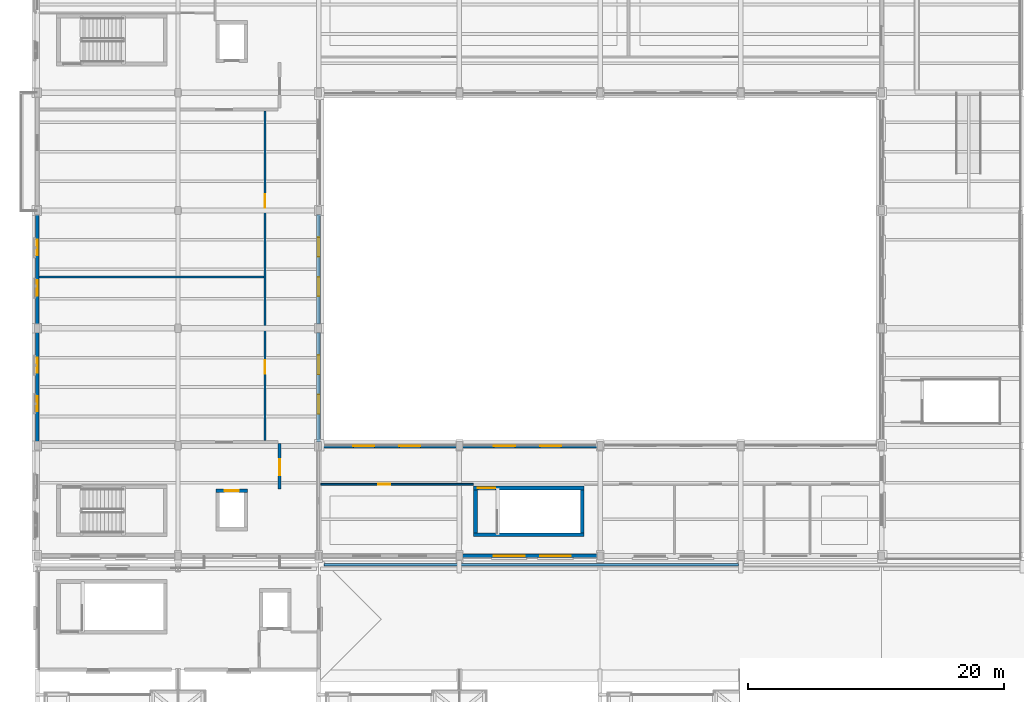
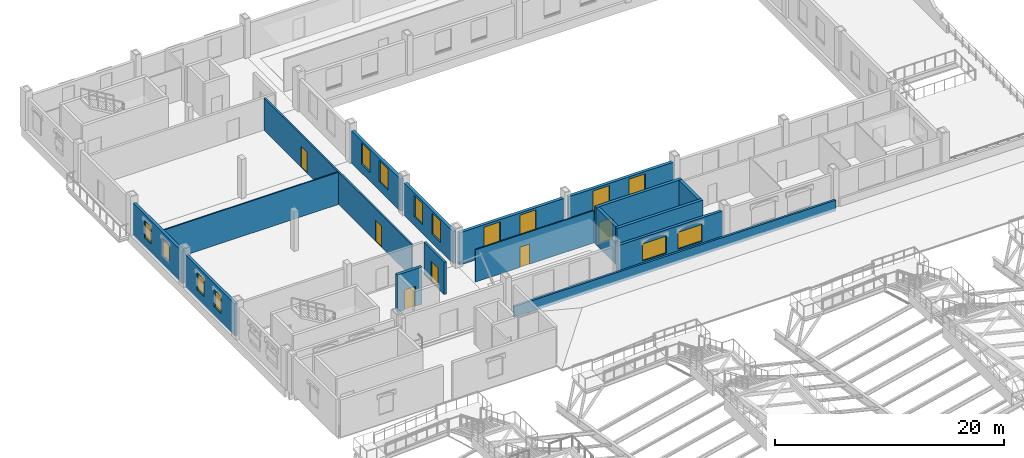
# One storey, part 23 of 43: 17 walls, 14 windows, 6 doors, 20 openings.
"""IFC4 building model written with IfcOpenShell, lengths in metres."""

from ifc_helpers import new_model, si_unit, direction, frame, frame_2d, origin, place, context, subcontext, project, spatial, rectangle, extrude, material, layer, layer_set, type_object, element, fill, save


model = new_model("IFC4")

# Units and contexts
model_context = context("Model", 3, precision=1e-05, world=origin(), true_north=direction((0.0, 1.0)))
body_context = subcontext(model_context, "Body", "Model", "MODEL_VIEW")
ifc_project = project(units=[si_unit("LENGTHUNIT", "METRE"), si_unit("AREAUNIT", "SQUARE_METRE"), si_unit("VOLUMEUNIT", "CUBIC_METRE"), si_unit("PLANEANGLEUNIT", "RADIAN"), si_unit("MASSUNIT", "GRAM", prefix="KILO")], contexts=[model_context])

# Site, building, storey
site_placement = place(None, origin())
site = spatial("IfcSite", under=ifc_project, at=site_placement, CompositionType="ELEMENT")
building_placement = place(site_placement, origin())
building = spatial("IfcBuilding", under=site, at=building_placement, Name="Caurita Quay Ferry Terminal", CompositionType="ELEMENT")
storey_placement = place(building_placement, frame((0.0, 0.0, 14.10009765625)))
storey = spatial("IfcBuildingStorey", under=building, at=storey_placement, Name="L03", CompositionType="ELEMENT", Elevation=14.10009765625)

# Wall, opening, door
ifc_material_1 = material(Name="Warm-white lime stucco masonry", Category="masonry")
ifc_layer_1 = layer(ifc_material_1, 0.239990234375, Name="Interior partitioning wall 240 mm")
ifc_layer_set_1 = layer_set([ifc_layer_1], Name="Warm-white lime stucco masonry")
wall_type_1 = type_object("IfcWallType", Name="WL-COMP-240", PredefinedType="PARTITIONING", material=ifc_layer_set_1)
wall_1_placement = place(storey_placement, frame((18.949951171875, 76.85009765625, 0.0), z_axis=(0.0, 0.0, 1.0), x_axis=(0.0, 1.0, 0.0)))
wall_1 = element("IfcWall", 1, at=wall_1_placement, inside=storey, type_object=wall_type_1, Name="L03 Interior Partition IW-L03-105", PredefinedType="PARTITIONING", context=body_context, shape_type="SweptSolid", body=[
    extrude(rectangle(XDim=3.52490234375, YDim=0.239990234375, at=frame_2d((1.762451171875, 0.0))), origin(), (0.0, 0.0, 1.0), 3.4365234375),
])
opening_1_placement = place(wall_1_placement, frame((1.050048828125, 0.0, 0.0)))
opening_1 = element("IfcOpeningElement", 2, at=opening_1_placement, cuts=wall_1, Name="Opening FD-01", PredefinedType="OPENING", context=body_context, shape_type="SweptSolid", body=[
    extrude(rectangle(XDim=1.25, YDim=2.199951171875, at=frame_2d((0.625, 1.10009765625))), frame((0.0, 0.1298828125, 0.0), z_axis=(0.0, -1.0, 0.0), x_axis=(1.0, 0.0, 0.0)), (0.0, 0.0, 1.0), 0.260009765625),
])
ifc_material_2 = material(Name="Anodized aluminium 6063-T6", Category="aluminium")
door_type_1 = type_object("IfcDoorType", Name="DR-FF-1100", OperationType="NOTDEFINED", PredefinedType="DOOR", material=ifc_material_2)
door_1_placement = place(opening_1_placement, frame((1.25, 0.0, 0.0), z_axis=(0.0, 0.0, 1.0), x_axis=(-1.0, 0.0, 0.0)))
door_1 = element("IfcDoor", 3, at=door_1_placement, inside=storey, type_object=door_type_1, Name="Firefighting Lobby L03 South East Door", OperationType="SINGLE_SWING_RIGHT", OverallHeight=2.199951171875, OverallWidth=1.25, PredefinedType="DOOR", context=body_context, shape_type="SweptSolid", body=[
    extrude(rectangle(XDim=1.25, YDim=2.199951171875, at=frame_2d((0.625, 1.10009765625))), frame((0.0, 0.02490234375, 0.0), z_axis=(0.0, -1.0, 0.0), x_axis=(1.0, 0.0, 0.0)), (0.0, 0.0, 1.0), 0.050048828125),
])
fill(opening_1, door_1)

# Wall
ifc_material_3 = material(Name="Reinforced concrete C35/45", Category="concrete")
ifc_layer_2 = layer(ifc_material_3, 0.300048828125, Name="Interior shear wall 300 mm")
ifc_layer_set_2 = layer_set([ifc_layer_2], Name="Reinforced concrete C35/45")
wall_type_2 = type_object("IfcWallType", Name="WL-CORE-300", PredefinedType="SHEAR", material=ifc_layer_set_2)
wall_2_placement = place(storey_placement, frame((34.10009765625, 73.25, 0.0), z_axis=(0.0, 0.0, 1.0), x_axis=(1.0, 0.0, 0.0)))
element("IfcWall", 4, at=wall_2_placement, inside=storey, type_object=wall_type_2, Name="L03 ST-03 Core Wall South", PredefinedType="SHEAR", context=body_context, shape_type="SweptSolid", body=[
    extrude(rectangle(XDim=8.64990234375, YDim=0.300048828125, at=frame_2d((4.324951171875, 0.0))), origin(), (0.0, 0.0, 1.0), 3.97998046875),
])

# Wall, opening, door
wall_3_placement = place(storey_placement, frame((42.75, 76.909912109375, 0.0), z_axis=(0.0, 0.0, 1.0), x_axis=(-1.0, 0.0, 0.0)))
wall_3 = element("IfcWall", 5, at=wall_3_placement, inside=storey, type_object=wall_type_2, Name="L03 ST-03 Core Wall North", PredefinedType="SHEAR", context=body_context, shape_type="SweptSolid", body=[
    extrude(rectangle(XDim=8.64990234375, YDim=0.300048828125, at=frame_2d((4.324951171875, 0.0))), origin(), (0.0, 0.0, 1.0), 3.97998046875),
])
opening_2_placement = place(wall_3_placement, frame((6.949951171875, 0.0, 0.0)))
opening_2 = element("IfcOpeningElement", 6, at=opening_2_placement, cuts=wall_3, Name="Opening SD-01", PredefinedType="OPENING", context=body_context, shape_type="SweptSolid", body=[
    extrude(rectangle(XDim=1.35009765625, YDim=2.199951171875, at=frame_2d((0.675048828125, 1.10009765625))), frame((0.0, 0.159912109375, 0.0), z_axis=(0.0, -1.0, 0.0), x_axis=(1.0, 0.0, 0.0)), (0.0, 0.0, 1.0), 0.320068359375),
])
door_type_2 = type_object("IfcDoorType", Name="DR-ST-1200", OperationType="NOTDEFINED", PredefinedType="DOOR", material=ifc_material_2)
door_2_placement = place(opening_2_placement, origin())
door_2 = element("IfcDoor", 7, at=door_2_placement, inside=storey, type_object=door_type_2, Name="L03 Exit Stair ST-03 Fire Door", OperationType="SINGLE_SWING_RIGHT", OverallHeight=2.199951171875, OverallWidth=1.35009765625, PredefinedType="DOOR", context=body_context, shape_type="SweptSolid", body=[
    extrude(rectangle(XDim=1.35009765625, YDim=2.199951171875, at=frame_2d((0.675048828125, 1.10009765625))), frame((0.0, 0.02490234375, 0.0), z_axis=(0.0, -1.0, 0.0), x_axis=(1.0, 0.0, 0.0)), (0.0, 0.0, 1.0), 0.050048828125),
])
fill(opening_2, door_2)

# Walls
for number, where, z_axis, x_axis, name in (
    (8, (34.25, 76.760009765625, 0.0), (0.0, 0.0, 1.0), (0.0, -1.0, 0.0), "L03 ST-03 Core Wall West"),
    (9, (42.60009765625, 73.39990234375, 0.0), (0.0, 0.0, 1.0), (0.0, 1.0, 0.0), "L03 ST-03 Core Wall East"),
):
    element("IfcWall", number, at=place(storey_placement, frame(where, z_axis=z_axis, x_axis=x_axis)), inside=storey, type_object=wall_type_2, Name=name, PredefinedType="SHEAR", context=body_context, shape_type="SweptSolid", body=[
        extrude(rectangle(XDim=3.360107421875, YDim=0.300048828125, at=frame_2d((1.68017578125, 0.0))), origin(), (0.0, 0.0, 1.0), 3.97998046875),
    ])

# Wall, opening, door
wall_4_placement = place(storey_placement, frame((16.445068359375, 76.695068359375, 0.0), z_axis=(0.0, 0.0, 1.0), x_axis=(-1.0, 0.0, 0.0)))
wall_4 = element("IfcWall", 10, at=wall_4_placement, inside=storey, type_object=wall_type_2, Name="L03 Lift LF-02 Shaft Wall North", PredefinedType="SHEAR", context=body_context, shape_type="SweptSolid", body=[
    extrude(rectangle(XDim=2.489990234375, YDim=0.300048828125, at=frame_2d((1.2451171875, 0.0))), origin(), (0.0, 0.0, 1.0), 3.97998046875),
])
opening_3_placement = place(wall_4_placement, frame((0.695068359375, 0.0, 0.0)))
opening_3 = element("IfcOpeningElement", 11, at=opening_3_placement, cuts=wall_4, Name="Opening LD-01", PredefinedType="OPENING", context=body_context, shape_type="SweptSolid", body=[
    extrude(rectangle(XDim=1.10009765625, YDim=2.14990234375, at=frame_2d((0.550048828125, 1.074951171875))), frame((0.0, 0.159912109375, 0.0), z_axis=(0.0, -1.0, 0.0), x_axis=(1.0, 0.0, 0.0)), (0.0, 0.0, 1.0), 0.320068359375),
])
ifc_material_4 = material(Name="Bronze architectural metalwork", Category="metal")
door_type_3 = type_object("IfcDoorType", Name="DR-LD-01", OperationType="DOUBLE_DOOR_SLIDING", PredefinedType="DOOR", material=ifc_material_4)
door_3_placement = place(opening_3_placement, frame((1.10009765625, 0.0, 0.0), z_axis=(0.0, 0.0, 1.0), x_axis=(-1.0, 0.0, 0.0)))
door_3 = element("IfcDoor", 12, at=door_3_placement, inside=storey, type_object=door_type_3, Name="L03 Lift LF-02 Sliding Landing Door", OperationType="DOUBLE_DOOR_SLIDING", OverallHeight=2.14990234375, OverallWidth=1.10009765625, PredefinedType="DOOR", context=body_context, shape_type="SweptSolid", body=[
    extrude(rectangle(XDim=1.10009765625, YDim=2.14990234375, at=frame_2d((0.550048828125, 1.074951171875))), frame((0.0, 0.02490234375, 0.0), z_axis=(0.0, -1.0, 0.0), x_axis=(1.0, 0.0, 0.0)), (0.0, 0.0, 1.0), 0.050048828125),
])
fill(opening_3, door_3)

# Wall, openings, windows
ifc_layer_3 = layer(ifc_material_1, 0.280029296875, Name="Exterior solidwall wall 280 mm")
ifc_layer_set_3 = layer_set([ifc_layer_3], Name="Warm-white lime stucco masonry")
wall_type_3 = type_object("IfcWallType", Name="WL-EXT-280", PredefinedType="SOLIDWALL", material=ifc_layer_set_3)
wall_5_placement = place(storey_placement, frame((0.0, 89.076904296875, 0.0), z_axis=(0.0, 0.0, 1.0), x_axis=(0.0, -1.0, 0.0)))
wall_5 = element("IfcWall", 13, at=wall_5_placement, inside=storey, type_object=wall_type_3, Name="L03 Exterior Wall EW-L03-048", PredefinedType="SOLIDWALL", context=body_context, shape_type="SweptSolid", body=[
    extrude(rectangle(XDim=8.553955078125, YDim=0.280029296875, at=frame_2d((4.27685546875, 0.0))), origin(), (0.0, 0.0, 1.0), 3.43896484375),
])
opening_4_placement = place(wall_5_placement, frame((1.97705078125, 0.0, 0.949951171875)))
opening_4 = element("IfcOpeningElement", 14, at=opening_4_placement, cuts=wall_5, Name="Opening W-03", PredefinedType="OPENING", context=body_context, shape_type="SweptSolid", body=[
    extrude(rectangle(XDim=1.199951171875, YDim=1.800048828125, at=frame_2d((0.60009765625, 0.89990234375))), frame((0.0, 0.14990234375, 0.0), z_axis=(0.0, -1.0, 0.0), x_axis=(1.0, 0.0, 0.0)), (0.0, 0.0, 1.0), 0.300048828125),
])
opening_5_placement = place(wall_5_placement, frame((4.97705078125, 0.0, 0.949951171875)))
opening_5 = element("IfcOpeningElement", 15, at=opening_5_placement, cuts=wall_5, Name="Opening W-03", PredefinedType="OPENING", context=body_context, shape_type="SweptSolid", body=[
    extrude(rectangle(XDim=1.199951171875, YDim=1.800048828125, at=frame_2d((0.60009765625, 0.89990234375))), frame((0.0, 0.14990234375, 0.0), z_axis=(0.0, -1.0, 0.0), x_axis=(1.0, 0.0, 0.0)), (0.0, 0.0, 1.0), 0.300048828125),
])
ifc_material_5 = material(Name="Laminated solar-control insulated glass", Category="glass")
window_type_1 = type_object("IfcWindowType", Name="WIN-SC-1218", PartitioningType="SINGLE_PANEL", PredefinedType="WINDOW", material=ifc_material_5)
window_1_placement = place(opening_4_placement, origin())
window_1 = element("IfcWindow", 16, at=window_1_placement, inside=storey, type_object=window_type_1, Name="L03 Casement Window WN-L03-071", OverallHeight=1.800048828125, OverallWidth=1.199951171875, PartitioningType="SINGLE_PANEL", PredefinedType="WINDOW", context=body_context, shape_type="SweptSolid", body=[
    extrude(rectangle(XDim=1.199951171875, YDim=1.800048828125, at=frame_2d((0.60009765625, 0.89990234375))), frame((0.0, 0.030029296875, 0.0), z_axis=(0.0, -1.0, 0.0), x_axis=(1.0, 0.0, 0.0)), (0.0, 0.0, 1.0), 0.06005859375),
])
fill(opening_4, window_1)
window_2_placement = place(opening_5_placement, origin())
window_2 = element("IfcWindow", 17, at=window_2_placement, inside=storey, type_object=window_type_1, Name="L03 Casement Window WN-L03-072", OverallHeight=1.800048828125, OverallWidth=1.199951171875, PartitioningType="SINGLE_PANEL", PredefinedType="WINDOW", context=body_context, shape_type="SweptSolid", body=[
    extrude(rectangle(XDim=1.199951171875, YDim=1.800048828125, at=frame_2d((0.60009765625, 0.89990234375))), frame((0.0, 0.030029296875, 0.0), z_axis=(0.0, -1.0, 0.0), x_axis=(1.0, 0.0, 0.0)), (0.0, 0.0, 1.0), 0.06005859375),
])
fill(opening_5, window_2)

wall_6_placement = place(storey_placement, frame((0.0, 98.277099609375, 0.0), z_axis=(0.0, 0.0, 1.0), x_axis=(0.0, -1.0, 0.0)))
wall_6 = element("IfcWall", 18, at=wall_6_placement, inside=storey, type_object=wall_type_3, Name="L03 Exterior Wall EW-L03-049", PredefinedType="SOLIDWALL", context=body_context, shape_type="SweptSolid", body=[
    extrude(rectangle(XDim=8.55419921875, YDim=0.280029296875, at=frame_2d((4.277099609375, 0.0))), origin(), (0.0, 0.0, 1.0), 3.43896484375),
])
opening_6_placement = place(wall_6_placement, frame((1.97705078125, 0.0, 0.949951171875)))
opening_6 = element("IfcOpeningElement", 19, at=opening_6_placement, cuts=wall_6, Name="Opening W-03", PredefinedType="OPENING", context=body_context, shape_type="SweptSolid", body=[
    extrude(rectangle(XDim=1.199951171875, YDim=1.800048828125, at=frame_2d((0.60009765625, 0.89990234375))), frame((0.0, 0.14990234375, 0.0), z_axis=(0.0, -1.0, 0.0), x_axis=(1.0, 0.0, 0.0)), (0.0, 0.0, 1.0), 0.300048828125),
])
opening_7_placement = place(wall_6_placement, frame((5.14208984375, 0.0, 0.949951171875)))
opening_7 = element("IfcOpeningElement", 20, at=opening_7_placement, cuts=wall_6, Name="Opening W-03", PredefinedType="OPENING", context=body_context, shape_type="SweptSolid", body=[
    extrude(rectangle(XDim=1.199951171875, YDim=1.800048828125, at=frame_2d((0.60009765625, 0.89990234375))), frame((0.0, 0.14990234375, 0.0), z_axis=(0.0, -1.0, 0.0), x_axis=(1.0, 0.0, 0.0)), (0.0, 0.0, 1.0), 0.300048828125),
])
window_3_placement = place(opening_6_placement, origin())
window_3 = element("IfcWindow", 21, at=window_3_placement, inside=storey, type_object=window_type_1, Name="L03 Casement Window WN-L03-073", OverallHeight=1.800048828125, OverallWidth=1.199951171875, PartitioningType="SINGLE_PANEL", PredefinedType="WINDOW", context=body_context, shape_type="SweptSolid", body=[
    extrude(rectangle(XDim=1.199951171875, YDim=1.800048828125, at=frame_2d((0.60009765625, 0.89990234375))), frame((0.0, 0.030029296875, 0.0), z_axis=(0.0, -1.0, 0.0), x_axis=(1.0, 0.0, 0.0)), (0.0, 0.0, 1.0), 0.06005859375),
])
fill(opening_6, window_3)
window_4_placement = place(opening_7_placement, origin())
window_4 = element("IfcWindow", 22, at=window_4_placement, inside=storey, type_object=window_type_1, Name="L03 Casement Window WN-L03-074", OverallHeight=1.800048828125, OverallWidth=1.199951171875, PartitioningType="SINGLE_PANEL", PredefinedType="WINDOW", context=body_context, shape_type="SweptSolid", body=[
    extrude(rectangle(XDim=1.199951171875, YDim=1.800048828125, at=frame_2d((0.60009765625, 0.89990234375))), frame((0.0, 0.030029296875, 0.0), z_axis=(0.0, -1.0, 0.0), x_axis=(1.0, 0.0, 0.0)), (0.0, 0.0, 1.0), 0.06005859375),
])
fill(opening_7, window_4)

wall_7_placement = place(storey_placement, frame((33.222900390625, 71.60009765625, 0.0), z_axis=(0.0, 0.0, 1.0), x_axis=(1.0, 0.0, 0.0)))
wall_7 = element("IfcWall", 23, at=wall_7_placement, inside=storey, type_object=wall_type_3, Name="L03 Exterior Wall EW-L03-079", PredefinedType="SOLIDWALL", context=body_context, shape_type="SweptSolid", body=[
    extrude(rectangle(XDim=10.55419921875, YDim=0.280029296875, at=frame_2d((5.277099609375, 0.0))), origin(), (0.0, 0.0, 1.0), 3.4365234375),
])
opening_8_placement = place(wall_7_placement, frame((2.47705078125, 0.0, 0.949951171875)))
opening_8 = element("IfcOpeningElement", 24, at=opening_8_placement, cuts=wall_7, Name="Opening W-13", PredefinedType="OPENING", context=body_context, shape_type="SweptSolid", body=[
    extrude(rectangle(XDim=2.39990234375, YDim=1.800048828125, at=frame_2d((1.199951171875, 0.89990234375))), frame((0.0, 0.14990234375, 0.0), z_axis=(0.0, -1.0, 0.0), x_axis=(1.0, 0.0, 0.0)), (0.0, 0.0, 1.0), 0.300048828125),
])
opening_9_placement = place(wall_7_placement, frame((6.076904296875, 0.0, 0.949951171875)))
opening_9 = element("IfcOpeningElement", 25, at=opening_9_placement, cuts=wall_7, Name="Opening W-13", PredefinedType="OPENING", context=body_context, shape_type="SweptSolid", body=[
    extrude(rectangle(XDim=2.39990234375, YDim=1.800048828125, at=frame_2d((1.199951171875, 0.89990234375))), frame((0.0, 0.14990234375, 0.0), z_axis=(0.0, -1.0, 0.0), x_axis=(1.0, 0.0, 0.0)), (0.0, 0.0, 1.0), 0.300048828125),
])
window_type_2 = type_object("IfcWindowType", Name="WIN-SC-2418", PartitioningType="SINGLE_PANEL", PredefinedType="WINDOW", material=ifc_material_5)
window_5_placement = place(opening_8_placement, origin())
window_5 = element("IfcWindow", 26, at=window_5_placement, inside=storey, type_object=window_type_2, Name="L03 Casement Window WN-L03-117", OverallHeight=1.800048828125, OverallWidth=2.39990234375, PartitioningType="SINGLE_PANEL", PredefinedType="WINDOW", context=body_context, shape_type="SweptSolid", body=[
    extrude(rectangle(XDim=2.39990234375, YDim=1.800048828125, at=frame_2d((1.199951171875, 0.89990234375))), frame((0.0, 0.030029296875, 0.0), z_axis=(0.0, -1.0, 0.0), x_axis=(1.0, 0.0, 0.0)), (0.0, 0.0, 1.0), 0.06005859375),
])
fill(opening_8, window_5)
window_6_placement = place(opening_9_placement, origin())
window_6 = element("IfcWindow", 27, at=window_6_placement, inside=storey, type_object=window_type_2, Name="L03 Casement Window WN-L03-118", OverallHeight=1.800048828125, OverallWidth=2.39990234375, PartitioningType="SINGLE_PANEL", PredefinedType="WINDOW", context=body_context, shape_type="SweptSolid", body=[
    extrude(rectangle(XDim=2.39990234375, YDim=1.800048828125, at=frame_2d((1.199951171875, 0.89990234375))), frame((0.0, 0.030029296875, 0.0), z_axis=(0.0, -1.0, 0.0), x_axis=(1.0, 0.0, 0.0)), (0.0, 0.0, 1.0), 0.06005859375),
])
fill(opening_9, window_6)

ifc_layer_4 = layer(ifc_material_1, 0.31005859375, Name="Exterior solidwall wall 310 mm")
ifc_layer_set_4 = layer_set([ifc_layer_4], Name="Warm-white lime stucco masonry")
wall_type_4 = type_object("IfcWallType", Name="WL-EXT-310", PredefinedType="SOLIDWALL", material=ifc_layer_set_4)
wall_8_placement = place(storey_placement, frame((22.222900390625, 80.199951171875, 0.0), z_axis=(0.0, 0.0, 1.0), x_axis=(1.0, 0.0, 0.0)))
wall_8 = element("IfcWall", 28, at=wall_8_placement, inside=storey, type_object=wall_type_4, Name="L03 Exterior Wall EW-L03-114", PredefinedType="SOLIDWALL", context=body_context, shape_type="SweptSolid", body=[
    extrude(rectangle(XDim=10.55419921875, YDim=0.31005859375, at=frame_2d((5.277099609375, 0.0))), origin(), (0.0, 0.0, 1.0), 3.4365234375),
])
opening_10_placement = place(wall_8_placement, frame((2.47705078125, 0.0, 0.949951171875)))
opening_10 = element("IfcOpeningElement", 29, at=opening_10_placement, cuts=wall_8, Name="Opening W-08", PredefinedType="OPENING", context=body_context, shape_type="SweptSolid", body=[
    extrude(rectangle(XDim=1.64990234375, YDim=2.25, at=frame_2d((0.824951171875, 1.125))), frame((0.0, 0.1650390625, 0.0), z_axis=(0.0, -1.0, 0.0), x_axis=(1.0, 0.0, 0.0)), (0.0, 0.0, 1.0), 0.330078125),
])
opening_11_placement = place(wall_8_placement, frame((6.076904296875, 0.0, 0.949951171875)))
opening_11 = element("IfcOpeningElement", 30, at=opening_11_placement, cuts=wall_8, Name="Opening W-08", PredefinedType="OPENING", context=body_context, shape_type="SweptSolid", body=[
    extrude(rectangle(XDim=1.64990234375, YDim=2.25, at=frame_2d((0.824951171875, 1.125))), frame((0.0, 0.1650390625, 0.0), z_axis=(0.0, -1.0, 0.0), x_axis=(1.0, 0.0, 0.0)), (0.0, 0.0, 1.0), 0.330078125),
])
window_type_3 = type_object("IfcWindowType", Name="WIN-SC-16522", PartitioningType="SINGLE_PANEL", PredefinedType="WINDOW", material=ifc_material_5)
window_7_placement = place(opening_10_placement, origin())
window_7 = element("IfcWindow", 31, at=window_7_placement, inside=storey, type_object=window_type_3, Name="L03 Casement Window WN-L03-167", OverallHeight=2.25, OverallWidth=1.64990234375, PartitioningType="SINGLE_PANEL", PredefinedType="WINDOW", context=body_context, shape_type="SweptSolid", body=[
    extrude(rectangle(XDim=1.64990234375, YDim=2.25, at=frame_2d((0.824951171875, 1.125))), frame((0.0, 0.030029296875, 0.0), z_axis=(0.0, -1.0, 0.0), x_axis=(1.0, 0.0, 0.0)), (0.0, 0.0, 1.0), 0.06005859375),
])
fill(opening_10, window_7)
window_8_placement = place(opening_11_placement, origin())
window_8 = element("IfcWindow", 32, at=window_8_placement, inside=storey, type_object=window_type_3, Name="L03 Casement Window WN-L03-168", OverallHeight=2.25, OverallWidth=1.64990234375, PartitioningType="SINGLE_PANEL", PredefinedType="WINDOW", context=body_context, shape_type="SweptSolid", body=[
    extrude(rectangle(XDim=1.64990234375, YDim=2.25, at=frame_2d((0.824951171875, 1.125))), frame((0.0, 0.030029296875, 0.0), z_axis=(0.0, -1.0, 0.0), x_axis=(1.0, 0.0, 0.0)), (0.0, 0.0, 1.0), 0.06005859375),
])
fill(opening_11, window_8)

wall_9_placement = place(storey_placement, frame((33.222900390625, 80.199951171875, 0.0), z_axis=(0.0, 0.0, 1.0), x_axis=(1.0, 0.0, 0.0)))
wall_9 = element("IfcWall", 33, at=wall_9_placement, inside=storey, type_object=wall_type_4, Name="L03 Exterior Wall EW-L03-115", PredefinedType="SOLIDWALL", context=body_context, shape_type="SweptSolid", body=[
    extrude(rectangle(XDim=10.55419921875, YDim=0.31005859375, at=frame_2d((5.277099609375, 0.0))), origin(), (0.0, 0.0, 1.0), 3.4365234375),
])
opening_12_placement = place(wall_9_placement, frame((2.47705078125, 0.0, 0.949951171875)))
opening_12 = element("IfcOpeningElement", 34, at=opening_12_placement, cuts=wall_9, Name="Opening W-08", PredefinedType="OPENING", context=body_context, shape_type="SweptSolid", body=[
    extrude(rectangle(XDim=1.64990234375, YDim=2.25, at=frame_2d((0.824951171875, 1.125))), frame((0.0, 0.1650390625, 0.0), z_axis=(0.0, -1.0, 0.0), x_axis=(1.0, 0.0, 0.0)), (0.0, 0.0, 1.0), 0.330078125),
])
opening_13_placement = place(wall_9_placement, frame((6.076904296875, 0.0, 0.949951171875)))
opening_13 = element("IfcOpeningElement", 35, at=opening_13_placement, cuts=wall_9, Name="Opening W-08", PredefinedType="OPENING", context=body_context, shape_type="SweptSolid", body=[
    extrude(rectangle(XDim=1.64990234375, YDim=2.25, at=frame_2d((0.824951171875, 1.125))), frame((0.0, 0.1650390625, 0.0), z_axis=(0.0, -1.0, 0.0), x_axis=(1.0, 0.0, 0.0)), (0.0, 0.0, 1.0), 0.330078125),
])
window_9_placement = place(opening_12_placement, origin())
window_9 = element("IfcWindow", 36, at=window_9_placement, inside=storey, type_object=window_type_3, Name="L03 Casement Window WN-L03-169", OverallHeight=2.25, OverallWidth=1.64990234375, PartitioningType="SINGLE_PANEL", PredefinedType="WINDOW", context=body_context, shape_type="SweptSolid", body=[
    extrude(rectangle(XDim=1.64990234375, YDim=2.25, at=frame_2d((0.824951171875, 1.125))), frame((0.0, 0.030029296875, 0.0), z_axis=(0.0, -1.0, 0.0), x_axis=(1.0, 0.0, 0.0)), (0.0, 0.0, 1.0), 0.06005859375),
])
fill(opening_12, window_9)
window_10_placement = place(opening_13_placement, origin())
window_10 = element("IfcWindow", 37, at=window_10_placement, inside=storey, type_object=window_type_3, Name="L03 Casement Window WN-L03-170", OverallHeight=2.25, OverallWidth=1.64990234375, PartitioningType="SINGLE_PANEL", PredefinedType="WINDOW", context=body_context, shape_type="SweptSolid", body=[
    extrude(rectangle(XDim=1.64990234375, YDim=2.25, at=frame_2d((0.824951171875, 1.125))), frame((0.0, 0.030029296875, 0.0), z_axis=(0.0, -1.0, 0.0), x_axis=(1.0, 0.0, 0.0)), (0.0, 0.0, 1.0), 0.06005859375),
])
fill(opening_13, window_10)

wall_10_placement = place(storey_placement, frame((22.0, 80.52294921875, 0.0), z_axis=(0.0, 0.0, 1.0), x_axis=(0.0, 1.0, 0.0)))
wall_10 = element("IfcWall", 38, at=wall_10_placement, inside=storey, type_object=wall_type_4, Name="L03 Exterior Wall EW-L03-140", PredefinedType="SOLIDWALL", context=body_context, shape_type="SweptSolid", body=[
    extrude(rectangle(XDim=8.553955078125, YDim=0.31005859375, at=frame_2d((4.27685546875, 0.0))), origin(), (0.0, 0.0, 1.0), 3.43896484375),
])
opening_14_placement = place(wall_10_placement, frame((2.177001953125, 0.0, 0.949951171875)))
opening_14 = element("IfcOpeningElement", 39, at=opening_14_placement, cuts=wall_10, Name="Opening W-07", PredefinedType="OPENING", context=body_context, shape_type="SweptSolid", body=[
    extrude(rectangle(XDim=1.5, YDim=2.25, at=frame_2d((0.75, 1.125))), frame((0.0, 0.1650390625, 0.0), z_axis=(0.0, -1.0, 0.0), x_axis=(1.0, 0.0, 0.0)), (0.0, 0.0, 1.0), 0.330078125),
])
opening_15_placement = place(wall_10_placement, frame((5.277099609375, 0.0, 0.949951171875)))
opening_15 = element("IfcOpeningElement", 40, at=opening_15_placement, cuts=wall_10, Name="Opening W-07", PredefinedType="OPENING", context=body_context, shape_type="SweptSolid", body=[
    extrude(rectangle(XDim=1.5, YDim=2.25, at=frame_2d((0.75, 1.125))), frame((0.0, 0.1650390625, 0.0), z_axis=(0.0, -1.0, 0.0), x_axis=(1.0, 0.0, 0.0)), (0.0, 0.0, 1.0), 0.330078125),
])
window_type_4 = type_object("IfcWindowType", Name="WIN-SC-1522", PartitioningType="SINGLE_PANEL", PredefinedType="WINDOW", material=ifc_material_5)
window_11_placement = place(opening_14_placement, origin())
window_11 = element("IfcWindow", 41, at=window_11_placement, inside=storey, type_object=window_type_4, Name="L03 Casement Window WN-L03-219", OverallHeight=2.25, OverallWidth=1.5, PartitioningType="SINGLE_PANEL", PredefinedType="WINDOW", context=body_context, shape_type="SweptSolid", body=[
    extrude(rectangle(XDim=1.5, YDim=2.25, at=frame_2d((0.75, 1.125))), frame((0.0, 0.030029296875, 0.0), z_axis=(0.0, -1.0, 0.0), x_axis=(1.0, 0.0, 0.0)), (0.0, 0.0, 1.0), 0.06005859375),
])
fill(opening_14, window_11)
window_12_placement = place(opening_15_placement, origin())
window_12 = element("IfcWindow", 42, at=window_12_placement, inside=storey, type_object=window_type_4, Name="L03 Casement Window WN-L03-220", OverallHeight=2.25, OverallWidth=1.5, PartitioningType="SINGLE_PANEL", PredefinedType="WINDOW", context=body_context, shape_type="SweptSolid", body=[
    extrude(rectangle(XDim=1.5, YDim=2.25, at=frame_2d((0.75, 1.125))), frame((0.0, 0.030029296875, 0.0), z_axis=(0.0, -1.0, 0.0), x_axis=(1.0, 0.0, 0.0)), (0.0, 0.0, 1.0), 0.06005859375),
])
fill(opening_15, window_12)

wall_11_placement = place(storey_placement, frame((22.0, 89.722900390625, 0.0), z_axis=(0.0, 0.0, 1.0), x_axis=(0.0, 1.0, 0.0)))
wall_11 = element("IfcWall", 43, at=wall_11_placement, inside=storey, type_object=wall_type_4, Name="L03 Exterior Wall EW-L03-141", PredefinedType="SOLIDWALL", context=body_context, shape_type="SweptSolid", body=[
    extrude(rectangle(XDim=8.55419921875, YDim=0.31005859375, at=frame_2d((4.277099609375, 0.0))), origin(), (0.0, 0.0, 1.0), 3.43896484375),
])
opening_16_placement = place(wall_11_placement, frame((2.177001953125, 0.0, 0.949951171875)))
opening_16 = element("IfcOpeningElement", 44, at=opening_16_placement, cuts=wall_11, Name="Opening W-07", PredefinedType="OPENING", context=body_context, shape_type="SweptSolid", body=[
    extrude(rectangle(XDim=1.5, YDim=2.25, at=frame_2d((0.75, 1.125))), frame((0.0, 0.1650390625, 0.0), z_axis=(0.0, -1.0, 0.0), x_axis=(1.0, 0.0, 0.0)), (0.0, 0.0, 1.0), 0.330078125),
])
opening_17_placement = place(wall_11_placement, frame((5.277099609375, 0.0, 0.949951171875)))
opening_17 = element("IfcOpeningElement", 45, at=opening_17_placement, cuts=wall_11, Name="Opening W-07", PredefinedType="OPENING", context=body_context, shape_type="SweptSolid", body=[
    extrude(rectangle(XDim=1.5, YDim=2.25, at=frame_2d((0.75, 1.125))), frame((0.0, 0.1650390625, 0.0), z_axis=(0.0, -1.0, 0.0), x_axis=(1.0, 0.0, 0.0)), (0.0, 0.0, 1.0), 0.330078125),
])
window_13_placement = place(opening_16_placement, origin())
window_13 = element("IfcWindow", 46, at=window_13_placement, inside=storey, type_object=window_type_4, Name="L03 Casement Window WN-L03-221", OverallHeight=2.25, OverallWidth=1.5, PartitioningType="SINGLE_PANEL", PredefinedType="WINDOW", context=body_context, shape_type="SweptSolid", body=[
    extrude(rectangle(XDim=1.5, YDim=2.25, at=frame_2d((0.75, 1.125))), frame((0.0, 0.030029296875, 0.0), z_axis=(0.0, -1.0, 0.0), x_axis=(1.0, 0.0, 0.0)), (0.0, 0.0, 1.0), 0.06005859375),
])
fill(opening_16, window_13)
window_14_placement = place(opening_17_placement, origin())
window_14 = element("IfcWindow", 47, at=window_14_placement, inside=storey, type_object=window_type_4, Name="L03 Casement Window WN-L03-222", OverallHeight=2.25, OverallWidth=1.5, PartitioningType="SINGLE_PANEL", PredefinedType="WINDOW", context=body_context, shape_type="SweptSolid", body=[
    extrude(rectangle(XDim=1.5, YDim=2.25, at=frame_2d((0.75, 1.125))), frame((0.0, 0.030029296875, 0.0), z_axis=(0.0, -1.0, 0.0), x_axis=(1.0, 0.0, 0.0)), (0.0, 0.0, 1.0), 0.06005859375),
])
fill(opening_17, window_14)

# Walls
ifc_layer_5 = layer(ifc_material_1, 0.2099609375, Name="Exterior parapet wall 210 mm")
ifc_layer_set_5 = layer_set([ifc_layer_5], Name="Warm-white lime stucco masonry")
wall_type_5 = type_object("IfcWallType", Name="WL-PAR-210", PredefinedType="PARAPET", material=ifc_layer_set_5)
wall_12_placement = place(storey_placement, frame((22.39990234375, 70.89990234375, 0.0), z_axis=(0.0, 0.0, 1.0), x_axis=(1.0, 0.0, 0.0)))
element("IfcWall", 48, at=wall_12_placement, inside=storey, type_object=wall_type_5, Name="L03 Roof Parapet Wall 05", PredefinedType="PARAPET", context=body_context, shape_type="SweptSolid", body=[
    extrude(rectangle(XDim=32.400146484375, YDim=0.2099609375, at=frame_2d((16.2001953125, 0.0))), origin(), (0.0, 0.0, 1.0), 1.14990234375),
])
ifc_material_6 = material(Name="Gypsum board partition", Category="masonry")
ifc_layer_6 = layer(ifc_material_6, 0.1298828125, Name="Interior partitioning wall 130 mm")
ifc_layer_set_6 = layer_set([ifc_layer_6], Name="Gypsum board partition")
wall_type_6 = type_object("IfcWallType", Name="WL-PART-130", PredefinedType="PARTITIONING", material=ifc_layer_set_6)
wall_13_placement = place(storey_placement, frame((0.14501953125, 93.39990234375, 0.0), z_axis=(0.0, 0.0, 1.0), x_axis=(1.0, 0.0, 0.0)))
element("IfcWall", 49, at=wall_13_placement, inside=storey, type_object=wall_type_6, Name="L03 Interior Partition IW-L03-103", PredefinedType="PARTITIONING", context=body_context, shape_type="SweptSolid", body=[
    extrude(rectangle(XDim=17.570068359375, YDim=0.1298828125, at=frame_2d((8.78515625, 0.0))), origin(), (0.0, 0.0, 1.0), 3.43896484375),
])

# Wall, opening, door
wall_14_placement = place(storey_placement, frame((22.159912109375, 77.199951171875, 0.0), z_axis=(0.0, 0.0, 1.0), x_axis=(1.0, 0.0, 0.0)))
wall_14 = element("IfcWall", 50, at=wall_14_placement, inside=storey, type_object=wall_type_6, Name="L03 Interior Partition IW-L03-110", PredefinedType="PARTITIONING", context=body_context, shape_type="SweptSolid", body=[
    extrude(rectangle(XDim=11.93017578125, YDim=0.1298828125, at=frame_2d((5.965087890625, 0.0))), origin(), (0.0, 0.0, 1.0), 3.43896484375),
])
opening_18_placement = place(wall_14_placement, frame((4.5, 0.0, 0.0)))
opening_18 = element("IfcOpeningElement", 51, at=opening_18_placement, cuts=wall_14, Name="Opening ID-06", PredefinedType="OPENING", context=body_context, shape_type="SweptSolid", body=[
    extrude(rectangle(XDim=0.949951171875, YDim=2.14990234375, at=frame_2d((0.47509765625, 1.074951171875))), frame((0.0, 0.074951171875, 0.0), z_axis=(0.0, -1.0, 0.0), x_axis=(1.0, 0.0, 0.0)), (0.0, 0.0, 1.0), 0.14990234375),
])
ifc_material_7 = material(Name="Tropical mahogany hardwood", Category="wood")
door_type_4 = type_object("IfcDoorType", Name="DR-OFF-0950", OperationType="NOTDEFINED", PredefinedType="DOOR", material=ifc_material_7)
door_4_placement = place(opening_18_placement, frame((0.949951171875, 0.0, 0.0), z_axis=(0.0, 0.0, 1.0), x_axis=(-1.0, 0.0, 0.0)))
door_4 = element("IfcDoor", 52, at=door_4_placement, inside=storey, type_object=door_type_4, Name="Hydrographic Chart Store Door", OperationType="SINGLE_SWING_RIGHT", OverallHeight=2.14990234375, OverallWidth=0.949951171875, PredefinedType="DOOR", context=body_context, shape_type="SweptSolid", body=[
    extrude(rectangle(XDim=0.949951171875, YDim=2.14990234375, at=frame_2d((0.47509765625, 1.074951171875))), frame((0.0, 0.02490234375, 0.0), z_axis=(0.0, -1.0, 0.0), x_axis=(1.0, 0.0, 0.0)), (0.0, 0.0, 1.0), 0.050048828125),
])
fill(opening_18, door_4)

# Wall, openings, doors
ifc_layer_7 = layer(ifc_material_6, 0.159912109375, Name="Interior partitioning wall 160 mm")
ifc_layer_set_7 = layer_set([ifc_layer_7], Name="Gypsum board partition")
wall_type_7 = type_object("IfcWallType", Name="WL-PART-160", PredefinedType="PARTITIONING", material=ifc_layer_set_7)
wall_15_placement = place(storey_placement, frame((17.800048828125, 80.625, 0.0), z_axis=(0.0, 0.0, 1.0), x_axis=(0.0, 1.0, 0.0)))
wall_15 = element("IfcWall", 53, at=wall_15_placement, inside=storey, type_object=wall_type_7, Name="L03 Interior Partition IW-L03-102", PredefinedType="PARTITIONING", context=body_context, shape_type="SweptSolid", body=[
    extrude(rectangle(XDim=25.75, YDim=0.159912109375, at=frame_2d((12.875, 0.0))), origin(), (0.0, 0.0, 1.0), 3.4365234375),
])
opening_19_placement = place(wall_15_placement, frame((5.205078125, 0.0, 0.0)))
opening_19 = element("IfcOpeningElement", 54, at=opening_19_placement, cuts=wall_15, Name="Opening ID-04", PredefinedType="OPENING", context=body_context, shape_type="SweptSolid", body=[
    extrude(rectangle(XDim=1.050048828125, YDim=2.199951171875, at=frame_2d((0.52490234375, 1.10009765625))), frame((0.0, 0.08984375, 0.0), z_axis=(0.0, -1.0, 0.0), x_axis=(1.0, 0.0, 0.0)), (0.0, 0.0, 1.0), 0.179931640625),
])
opening_20_placement = place(wall_15_placement, frame((18.205078125, 0.0, 0.0)))
opening_20 = element("IfcOpeningElement", 55, at=opening_20_placement, cuts=wall_15, Name="Opening ID-04", PredefinedType="OPENING", context=body_context, shape_type="SweptSolid", body=[
    extrude(rectangle(XDim=1.050048828125, YDim=2.199951171875, at=frame_2d((0.52490234375, 1.10009765625))), frame((0.0, 0.08984375, 0.0), z_axis=(0.0, -1.0, 0.0), x_axis=(1.0, 0.0, 0.0)), (0.0, 0.0, 1.0), 0.179931640625),
])
door_type_5 = type_object("IfcDoorType", Name="DR-OFF-1050", OperationType="NOTDEFINED", PredefinedType="DOOR", material=ifc_material_7)
door_5_placement = place(opening_19_placement, origin())
door_5 = element("IfcDoor", 56, at=door_5_placement, inside=storey, type_object=door_type_5, Name="Gulf Pilotage Briefing Room Door", OperationType="SINGLE_SWING_LEFT", OverallHeight=2.199951171875, OverallWidth=1.050048828125, PredefinedType="DOOR", context=body_context, shape_type="SweptSolid", body=[
    extrude(rectangle(XDim=1.050048828125, YDim=2.199951171875, at=frame_2d((0.52490234375, 1.10009765625))), frame((0.0, 0.02490234375, 0.0), z_axis=(0.0, -1.0, 0.0), x_axis=(1.0, 0.0, 0.0)), (0.0, 0.0, 1.0), 0.050048828125),
])
fill(opening_19, door_5)
door_6_placement = place(opening_20_placement, frame((1.050048828125, 0.0, 0.0), z_axis=(0.0, 0.0, 1.0), x_axis=(-1.0, 0.0, 0.0)))
door_6 = element("IfcDoor", 57, at=door_6_placement, inside=storey, type_object=door_type_5, Name="Harbour Master Executive Suite Door", OperationType="SINGLE_SWING_RIGHT", OverallHeight=2.199951171875, OverallWidth=1.050048828125, PredefinedType="DOOR", context=body_context, shape_type="SweptSolid", body=[
    extrude(rectangle(XDim=1.050048828125, YDim=2.199951171875, at=frame_2d((0.52490234375, 1.10009765625))), frame((0.0, 0.02490234375, 0.0), z_axis=(0.0, -1.0, 0.0), x_axis=(1.0, 0.0, 0.0)), (0.0, 0.0, 1.0), 0.050048828125),
])
fill(opening_20, door_6)

save(model, "model.ifc")
